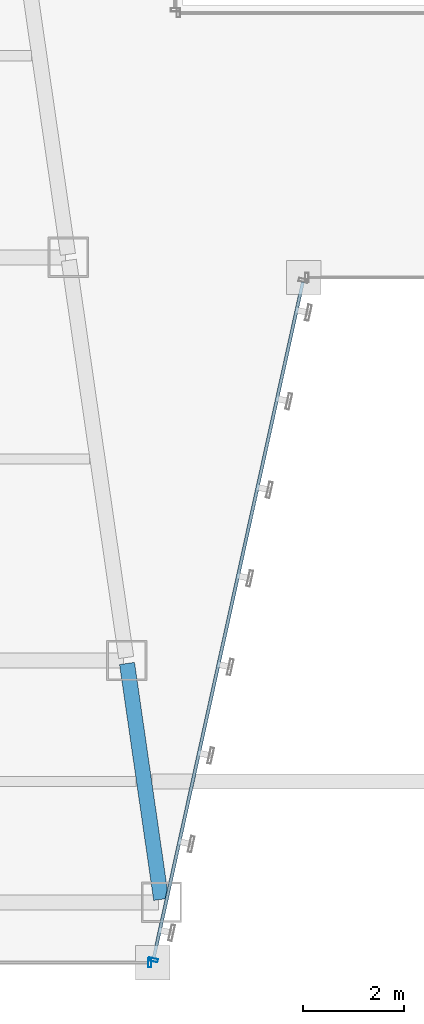
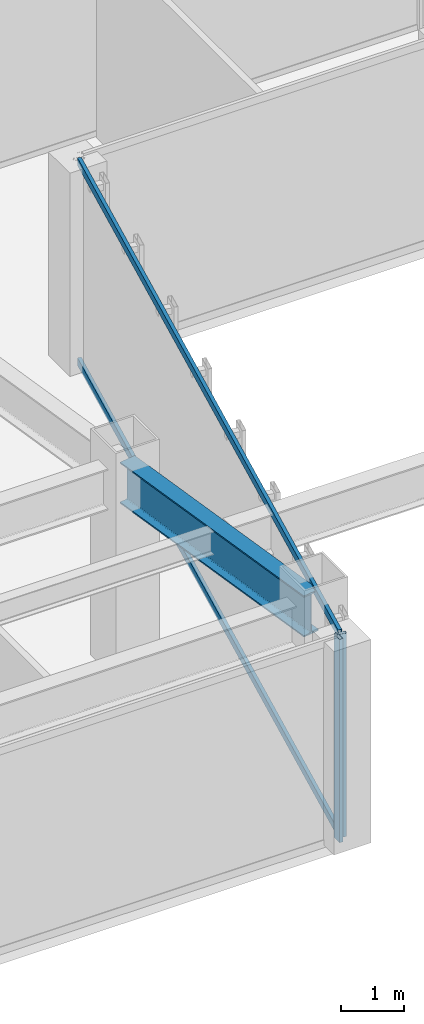
# One storey, part 7 of 47: 4 members, 1 beam, 2 elements without a shape of their own.
"""IFC4 building model written with IfcOpenShell, lengths in metres."""

from ifc_helpers import new_model, si_unit, direction, frame, origin, origin_2d, place, context, subcontext, project, spatial, hollow_rectangle, i_section, extrude, material, material_profile, profile_set, type_object, element, aggregate, save


model = new_model("IFC4")

# Units and contexts
model_context = context("Model", 3, precision=1e-05, world=origin(), true_north=direction((0.0, 1.0)))
body_context = subcontext(model_context, "Body", "Model", "MODEL_VIEW")
ifc_project = project(units=[si_unit("LENGTHUNIT", "METRE"), si_unit("AREAUNIT", "SQUARE_METRE"), si_unit("VOLUMEUNIT", "CUBIC_METRE"), si_unit("PLANEANGLEUNIT", "RADIAN"), si_unit("MASSUNIT", "GRAM", prefix="KILO")], contexts=[model_context])

# Site, building, storey
site_placement = place(None, origin())
site = spatial("IfcSite", under=ifc_project, at=site_placement, CompositionType="ELEMENT")
building_placement = place(site_placement, origin())
building = spatial("IfcBuilding", under=site, at=building_placement, Name="Saevonmaru Cultural Tower", CompositionType="ELEMENT")
storey_placement = place(building_placement, frame((0.0, 0.0, 82.39990234375)))
storey = spatial("IfcBuildingStorey", under=building, at=storey_placement, Name="L17", CompositionType="ELEMENT", Elevation=82.39990234375)

# Beam
ifc_material_1 = material(Name="Steel SM420", Category="steel")
ifc_material_profile_1 = material_profile(ifc_material_1, i_section(OverallWidth=0.300048828125, OverallDepth=0.800048828125, WebThickness=0.013916015625, FlangeThickness=0.02587890625, FilletRadius=0.028076171875, at=origin_2d()), Name="H-800x300x14x26")
ifc_profile_set_1 = profile_set([ifc_material_profile_1], Name="Steel SM420")
beam_type = type_object("IfcBeamType", Name="BM-G-H800", PredefinedType="BEAM", material=ifc_profile_set_1)
beam_placement = place(storey_placement, frame((23.768310546875, 3.259521484375, 3.550048828125), z_axis=(-0.143083234893, 0.989710658674, 0.0), x_axis=(-0.989710658674, -0.143083234893, 0.0)))
element("IfcBeam", 1, at=beam_placement, inside=storey, type_object=beam_type, Name="L17 West Atrium Girder 1", PredefinedType="BEAM", context=body_context, shape_type="SweptSolid", body=[
    extrude(i_section(OverallWidth=0.300048828125, OverallDepth=0.800048828125, WebThickness=0.013916015625, FlangeThickness=0.02587890625, FilletRadius=0.028076171875, at=origin_2d()), origin(), (0.0, 0.0, 1.0), 4.729736328125),
])

# Curtain wall, member
ifc_material_2 = material(Name="Satin Bronze Anodised Aluminium", Category="aluminium")
curtain_wall_type = type_object("IfcCurtainWallType", Name="CW-TYP-A", PredefinedType="NOTDEFINED", material=ifc_material_2)
curtain_wall_1_placement = place(storey_placement, origin())
curtain_wall_1 = element("IfcCurtainWall", 2, at=curtain_wall_1_placement, inside=storey, type_object=curtain_wall_type, Name="L17 Unitised Curtain Wall E2", PredefinedType="NOTDEFINED")
ifc_material_profile_2 = material_profile(ifc_material_2, hollow_rectangle(XDim=0.06494140625, YDim=0.179931640625, WallThickness=0.00390625, at=origin_2d()), Name="ALU-MULL-180x65x4")
ifc_profile_set_2 = profile_set([ifc_material_profile_2], Name="Satin Bronze Anodised Aluminium")
member_type_1 = type_object("IfcMemberType", Name="ML-CW-180x65", PredefinedType="MULLION", material=ifc_profile_set_2)
member_1_placement = place(storey_placement, frame((23.5400390625, 2.0, 0.0), z_axis=(0.0, 0.0, 1.0), x_axis=(1.0, 0.0, 0.0)))
member_1 = element("IfcMember", 3, at=member_1_placement, type_object=member_type_1, Name="CW-TW-L17-E2 mullion 2", PredefinedType="MULLION", context=body_context, shape_type="SweptSolid", body=[
    extrude(hollow_rectangle(XDim=0.06494140625, YDim=0.179931640625, WallThickness=0.00390625, at=origin_2d()), origin(), (0.0, 0.0, 1.0), 3.9501953125),
])
aggregate(curtain_wall_1, [member_1])

# Curtain wall, members
curtain_wall_2_placement = place(storey_placement, origin())
curtain_wall_2 = element("IfcCurtainWall", 4, at=curtain_wall_2_placement, inside=storey, type_object=curtain_wall_type, Name="L17 Unitised Curtain Wall E3", PredefinedType="NOTDEFINED")
member_2_placement = place(storey_placement, frame((23.61279296875, 2.05859375, 0.0), z_axis=(0.0, 0.0, 1.0), x_axis=(0.215413319953, 0.976522965212, 0.0)))
member_2 = element("IfcMember", 5, at=member_2_placement, type_object=member_type_1, Name="CW-TW-L17-E3 mullion 1", PredefinedType="MULLION", context=body_context, shape_type="SweptSolid", body=[
    extrude(hollow_rectangle(XDim=0.06494140625, YDim=0.179931640625, WallThickness=0.00390625, at=origin_2d()), origin(), (0.0, 0.0, 1.0), 3.9501953125),
])
ifc_material_profile_3 = material_profile(ifc_material_2, hollow_rectangle(XDim=0.06494140625, YDim=0.14990234375, WallThickness=0.00390625, at=origin_2d()), Name="ALU-TRAN-150x65x4")
ifc_profile_set_3 = profile_set([ifc_material_profile_3], Name="Satin Bronze Anodised Aluminium")
member_type_2 = type_object("IfcMemberType", Name="TR-CW-150x65", PredefinedType="USERDEFINED", material=ifc_profile_set_3)
member_3_placement = place(storey_placement, frame((23.619873046875, 2.09033203125, 0.03271484375), z_axis=(0.21541214732, 0.976523223885, 0.0), x_axis=(-0.976523223885, 0.21541214732, 0.0)))
member_3 = element("IfcMember", 6, at=member_3_placement, type_object=member_type_2, Name="CW-TW-L17-E3 transom 1.1", ObjectType="TRANSOM", PredefinedType="USERDEFINED", context=body_context, shape_type="SweptSolid", body=[
    extrude(hollow_rectangle(XDim=0.06494140625, YDim=0.14990234375, WallThickness=0.00390625, at=origin_2d()), origin(), (0.0, 0.0, 1.0), 13.741943359375),
])
member_4_placement = place(storey_placement, frame((23.619873046875, 2.09033203125, 3.91748046875), z_axis=(0.21541214732, 0.976523223885, 0.0), x_axis=(-0.976523223885, 0.21541214732, 0.0)))
member_4 = element("IfcMember", 7, at=member_4_placement, type_object=member_type_2, Name="CW-TW-L17-E3 transom 1.2", ObjectType="TRANSOM", PredefinedType="USERDEFINED", context=body_context, shape_type="SweptSolid", body=[
    extrude(hollow_rectangle(XDim=0.06494140625, YDim=0.14990234375, WallThickness=0.00390625, at=origin_2d()), origin(), (0.0, 0.0, 1.0), 13.741943359375),
])
aggregate(curtain_wall_2, [member_2, member_3, member_4])

save(model, "model.ifc")
